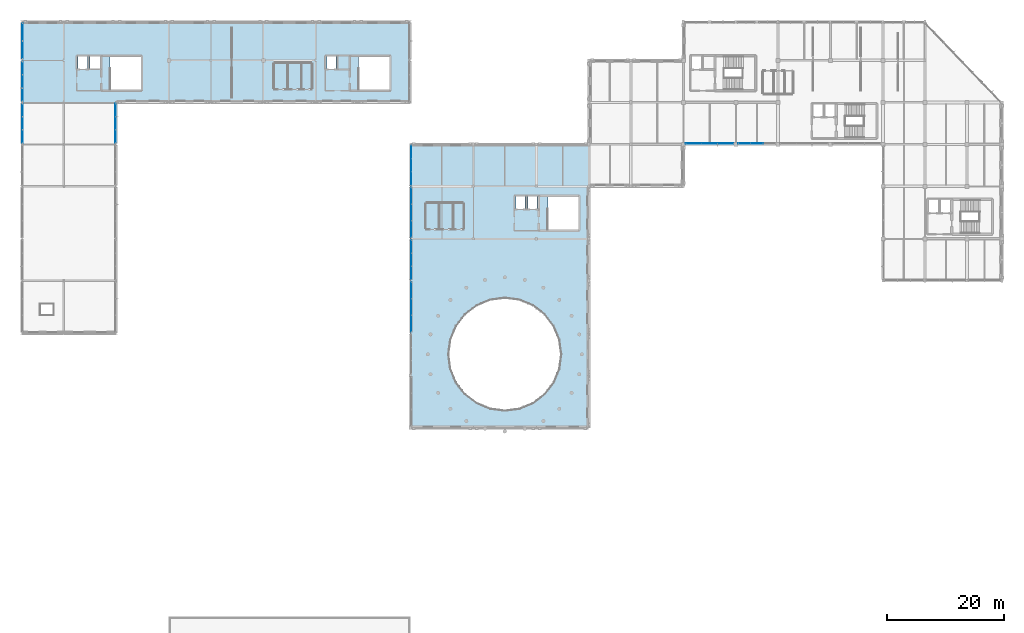
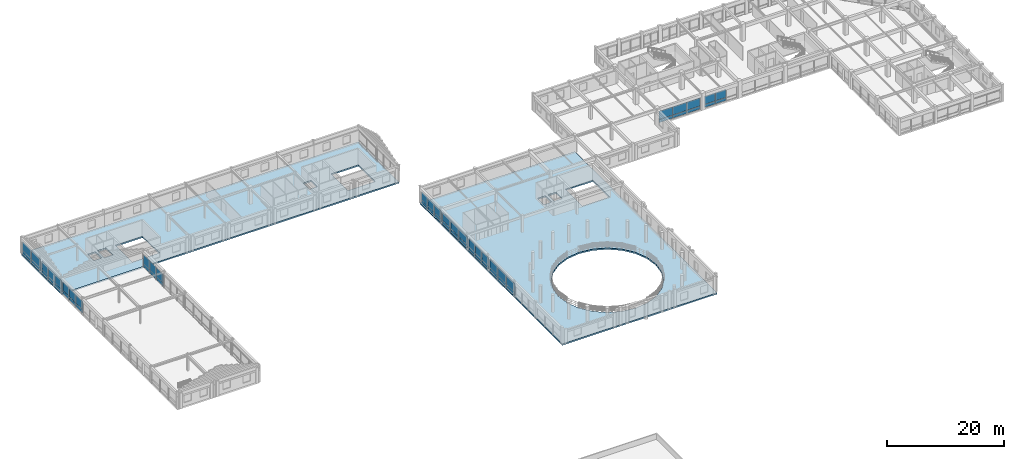
# One storey, part 33 of 52: 56 plates, 2 slabs, 10 elements without a shape of their own.
"""IFC4 building model written with IfcOpenShell, lengths in metres."""

from ifc_helpers import new_model, si_unit, direction, frame, frame_2d, origin, place, context, subcontext, project, spatial, polyline, rectangle, outline, extrude, material, layer, layer_set, type_object, element, aggregate, save


model = new_model("IFC4")

# Units and contexts
model_context = context("Model", 3, precision=1e-05, world=origin(), true_north=direction((0.0, 1.0)))
body_context = subcontext(model_context, "Body", "Model", "MODEL_VIEW")
ifc_project = project(units=[si_unit("LENGTHUNIT", "METRE"), si_unit("AREAUNIT", "SQUARE_METRE"), si_unit("VOLUMEUNIT", "CUBIC_METRE"), si_unit("PLANEANGLEUNIT", "RADIAN"), si_unit("MASSUNIT", "GRAM", prefix="KILO")], contexts=[model_context])

# Site, building, storey
site_placement = place(None, origin())
site = spatial("IfcSite", under=ifc_project, at=site_placement, CompositionType="ELEMENT")
building_placement = place(site_placement, origin())
building = spatial("IfcBuilding", under=site, at=building_placement, Name="Clarverna Civic Hall", CompositionType="ELEMENT")
storey_placement = place(building_placement, frame((0.0, 0.0, 16.800048828125)))
storey = spatial("IfcBuildingStorey", under=building, at=storey_placement, Name="L04", CompositionType="ELEMENT", Elevation=16.800048828125)

# Curtain wall, plates
ifc_material_1 = material(Name="Anodised Bronze Architectural Aluminium", Category="aluminium")
curtain_wall_type_1 = type_object("IfcCurtainWallType", Name="CW-01", PredefinedType="USERDEFINED", material=ifc_material_1)
curtain_wall_1_placement = place(storey_placement, origin())
curtain_wall_1 = element("IfcCurtainWall", 1, at=curtain_wall_1_placement, inside=storey, type_object=curtain_wall_type_1, Name="CW-01-099", ObjectType="UNITISED CURTAIN WALL", PredefinedType="USERDEFINED")
ifc_material_2 = material(Name="Solar-Control Argon Low-E Double Glazing", Category="glass")
ifc_layer_1 = layer(ifc_material_2, 0.031982421875)
ifc_layer_set_1 = layer_set([ifc_layer_1], Name="Solar-Control Argon Low-E Double Glazing")
plate_type_1 = type_object("IfcPlateType", Name="CWP-01", PredefinedType="CURTAIN_PANEL", material=ifc_layer_set_1)
plate_1_placement = place(storey_placement, frame((127.0439453125, 95.139892578125, 0.764892578125), z_axis=(0.0, 0.0, 1.0), x_axis=(-1.0, 0.0, 0.0)))
plate_1 = element("IfcPlate", 2, at=plate_1_placement, type_object=plate_type_1, Name="CWP-01-536", PredefinedType="CURTAIN_PANEL", context=body_context, shape_type="SweptSolid", body=[
    extrude(rectangle(XDim=2.087890625, YDim=0.031982421875, at=frame_2d((1.0439453125, 0.0))), origin(), (0.0, 0.0, 1.0), 1.695068359375),
])
plate_2_placement = place(storey_placement, frame((124.926025390625, 95.139892578125, 0.764892578125), z_axis=(0.0, 0.0, 1.0), x_axis=(-1.0, 0.0, 0.0)))
plate_2 = element("IfcPlate", 3, at=plate_2_placement, type_object=plate_type_1, Name="CWP-01-537", PredefinedType="CURTAIN_PANEL", context=body_context, shape_type="SweptSolid", body=[
    extrude(rectangle(XDim=2.088134765625, YDim=0.031982421875, at=frame_2d((1.0439453125, 0.0))), origin(), (0.0, 0.0, 1.0), 1.695068359375),
])

curtain_wall_2_placement = place(storey_placement, origin())
curtain_wall_2 = element("IfcCurtainWall", 4, at=curtain_wall_2_placement, inside=storey, type_object=curtain_wall_type_1, Name="CW-01-100", ObjectType="UNITISED CURTAIN WALL", PredefinedType="USERDEFINED")
plate_3_placement = place(storey_placement, frame((121.9619140625, 95.139892578125, 0.764892578125), z_axis=(0.0, 0.0, 1.0), x_axis=(-1.0, 0.0, 0.0)))
plate_3 = element("IfcPlate", 5, at=plate_3_placement, type_object=plate_type_1, Name="CWP-01-538", PredefinedType="CURTAIN_PANEL", context=body_context, shape_type="SweptSolid", body=[
    extrude(rectangle(XDim=2.68798828125, YDim=0.031982421875, at=frame_2d((1.343994140625, 0.0))), origin(), (0.0, 0.0, 1.0), 1.72509765625),
])
plate_4_placement = place(storey_placement, frame((119.243896484375, 95.139892578125, 0.764892578125), z_axis=(0.0, 0.0, 1.0), x_axis=(-1.0, 0.0, 0.0)))
plate_4 = element("IfcPlate", 6, at=plate_4_placement, type_object=plate_type_1, Name="CWP-01-539", PredefinedType="CURTAIN_PANEL", context=body_context, shape_type="SweptSolid", body=[
    extrude(rectangle(XDim=2.68798828125, YDim=0.031982421875, at=frame_2d((1.343994140625, 0.0))), origin(), (0.0, 0.0, 1.0), 1.72509765625),
])
plate_5_placement = place(storey_placement, frame((116.52587890625, 95.139892578125, 0.764892578125), z_axis=(0.0, 0.0, 1.0), x_axis=(-1.0, 0.0, 0.0)))
plate_5 = element("IfcPlate", 7, at=plate_5_placement, type_object=plate_type_1, Name="CWP-01-540", PredefinedType="CURTAIN_PANEL", context=body_context, shape_type="SweptSolid", body=[
    extrude(rectangle(XDim=2.68798828125, YDim=0.031982421875, at=frame_2d((1.343994140625, 0.0))), origin(), (0.0, 0.0, 1.0), 1.72509765625),
])

curtain_wall_type_2 = type_object("IfcCurtainWallType", Name="CW-05", PredefinedType="USERDEFINED", material=ifc_material_1)
curtain_wall_3_placement = place(storey_placement, origin())
curtain_wall_3 = element("IfcCurtainWall", 8, at=curtain_wall_3_placement, inside=storey, type_object=curtain_wall_type_2, Name="CW-05-027", ObjectType="UNITISED CURTAIN WALL", PredefinedType="USERDEFINED")
plate_6_placement = place(storey_placement, frame((0.139892578125, 95.224609375, 0.764892578125), z_axis=(0.0, 0.0, 1.0), x_axis=(0.0, 1.0, 0.0)))
plate_6 = element("IfcPlate", 9, at=plate_6_placement, type_object=plate_type_1, Name="CWP-01-553", PredefinedType="CURTAIN_PANEL", context=body_context, shape_type="SweptSolid", body=[
    extrude(rectangle(XDim=2.234130859375, YDim=0.031982421875, at=frame_2d((1.1171875, 0.0))), origin(), (0.0, 0.0, 1.0), 1.824951171875),
])
plate_7_placement = place(storey_placement, frame((0.139892578125, 97.48876953125, 0.764892578125), z_axis=(0.0, 0.0, 1.0), x_axis=(0.0, 1.0, 0.0)))
plate_7 = element("IfcPlate", 10, at=plate_7_placement, type_object=plate_type_1, Name="CWP-01-554", PredefinedType="CURTAIN_PANEL", context=body_context, shape_type="SweptSolid", body=[
    extrude(rectangle(XDim=2.234130859375, YDim=0.031982421875, at=frame_2d((1.1171875, 0.0))), origin(), (0.0, 0.0, 1.0), 1.824951171875),
])
plate_8_placement = place(storey_placement, frame((0.139892578125, 99.752685546875, 0.764892578125), z_axis=(0.0, 0.0, 1.0), x_axis=(0.0, 1.0, 0.0)))
plate_8 = element("IfcPlate", 11, at=plate_8_placement, type_object=plate_type_1, Name="CWP-01-555", PredefinedType="CURTAIN_PANEL", context=body_context, shape_type="SweptSolid", body=[
    extrude(rectangle(XDim=2.234375, YDim=0.031982421875, at=frame_2d((1.1171875, 0.0))), origin(), (0.0, 0.0, 1.0), 1.824951171875),
])

curtain_wall_4_placement = place(storey_placement, origin())
curtain_wall_4 = element("IfcCurtainWall", 12, at=curtain_wall_4_placement, inside=storey, type_object=curtain_wall_type_2, Name="CW-05-028", ObjectType="UNITISED CURTAIN WALL", PredefinedType="USERDEFINED")
plate_9_placement = place(storey_placement, frame((0.139892578125, 102.4130859375, 0.764892578125), z_axis=(0.0, 0.0, 1.0), x_axis=(0.0, 1.0, 0.0)))
plate_9 = element("IfcPlate", 13, at=plate_9_placement, type_object=plate_type_1, Name="CWP-01-556", PredefinedType="CURTAIN_PANEL", context=body_context, shape_type="SweptSolid", body=[
    extrude(rectangle(XDim=2.2197265625, YDim=0.031982421875, at=frame_2d((1.10986328125, 0.0))), origin(), (0.0, 0.0, 1.0), 1.824951171875),
])
plate_10_placement = place(storey_placement, frame((0.139892578125, 104.66259765625, 0.764892578125), z_axis=(0.0, 0.0, 1.0), x_axis=(0.0, 1.0, 0.0)))
plate_10 = element("IfcPlate", 14, at=plate_10_placement, type_object=plate_type_1, Name="CWP-01-557", PredefinedType="CURTAIN_PANEL", context=body_context, shape_type="SweptSolid", body=[
    extrude(rectangle(XDim=2.2197265625, YDim=0.031982421875, at=frame_2d((1.10986328125, 0.0))), origin(), (0.0, 0.0, 1.0), 1.824951171875),
])
plate_11_placement = place(storey_placement, frame((0.139892578125, 106.912353515625, 0.764892578125), z_axis=(0.0, 0.0, 1.0), x_axis=(0.0, 1.0, 0.0)))
plate_11 = element("IfcPlate", 15, at=plate_11_placement, type_object=plate_type_1, Name="CWP-01-558", PredefinedType="CURTAIN_PANEL", context=body_context, shape_type="SweptSolid", body=[
    extrude(rectangle(XDim=2.2197265625, YDim=0.031982421875, at=frame_2d((1.10986328125, 0.0))), origin(), (0.0, 0.0, 1.0), 1.824951171875),
])

curtain_wall_5_placement = place(storey_placement, origin())
curtain_wall_5 = element("IfcCurtainWall", 16, at=curtain_wall_5_placement, inside=storey, type_object=curtain_wall_type_2, Name="CW-05-029", ObjectType="UNITISED CURTAIN WALL", PredefinedType="USERDEFINED")
plate_12_placement = place(storey_placement, frame((0.139892578125, 109.66796875, 0.764892578125), z_axis=(0.0, 0.0, 1.0), x_axis=(0.0, 1.0, 0.0)))
plate_12 = element("IfcPlate", 17, at=plate_12_placement, type_object=plate_type_1, Name="CWP-01-559", PredefinedType="CURTAIN_PANEL", context=body_context, shape_type="SweptSolid", body=[
    extrude(rectangle(XDim=3.02197265625, YDim=0.031982421875, at=frame_2d((1.510986328125, 0.0))), origin(), (0.0, 0.0, 1.0), 1.824951171875),
])
plate_13_placement = place(storey_placement, frame((0.139892578125, 112.719970703125, 0.764892578125), z_axis=(0.0, 0.0, 1.0), x_axis=(0.0, 1.0, 0.0)))
plate_13 = element("IfcPlate", 18, at=plate_13_placement, type_object=plate_type_1, Name="CWP-01-560", PredefinedType="CURTAIN_PANEL", context=body_context, shape_type="SweptSolid", body=[
    extrude(rectangle(XDim=3.02197265625, YDim=0.031982421875, at=frame_2d((1.510986328125, 0.0))), origin(), (0.0, 0.0, 1.0), 1.824951171875),
])

curtain_wall_6_placement = place(storey_placement, origin())
curtain_wall_6 = element("IfcCurtainWall", 19, at=curtain_wall_6_placement, inside=storey, type_object=curtain_wall_type_2, Name="CW-05-032", ObjectType="UNITISED CURTAIN WALL", PredefinedType="USERDEFINED")
plate_14_placement = place(storey_placement, frame((16.06005859375, 101.951904296875, 0.764892578125), z_axis=(0.0, 0.0, 1.0), x_axis=(0.0, -1.0, 0.0)))
plate_14 = element("IfcPlate", 20, at=plate_14_placement, type_object=plate_type_1, Name="CWP-01-566", PredefinedType="CURTAIN_PANEL", context=body_context, shape_type="SweptSolid", body=[
    extrude(rectangle(XDim=2.211181640625, YDim=0.031982421875, at=frame_2d((1.10546875, 0.0))), origin(), (0.0, 0.0, 1.0), 1.824951171875),
])
plate_15_placement = place(storey_placement, frame((16.06005859375, 99.710693359375, 0.764892578125), z_axis=(0.0, 0.0, 1.0), x_axis=(0.0, -1.0, 0.0)))
plate_15 = element("IfcPlate", 21, at=plate_15_placement, type_object=plate_type_1, Name="CWP-01-567", PredefinedType="CURTAIN_PANEL", context=body_context, shape_type="SweptSolid", body=[
    extrude(rectangle(XDim=2.21142578125, YDim=0.031982421875, at=frame_2d((1.105712890625, 0.0))), origin(), (0.0, 0.0, 1.0), 1.824951171875),
])
plate_16_placement = place(storey_placement, frame((16.06005859375, 97.46923828125, 0.764892578125), z_axis=(0.0, 0.0, 1.0), x_axis=(0.0, -1.0, 0.0)))
plate_16 = element("IfcPlate", 22, at=plate_16_placement, type_object=plate_type_1, Name="CWP-01-568", PredefinedType="CURTAIN_PANEL", context=body_context, shape_type="SweptSolid", body=[
    extrude(rectangle(XDim=2.211181640625, YDim=0.031982421875, at=frame_2d((1.10546875, 0.0))), origin(), (0.0, 0.0, 1.0), 1.824951171875),
])

curtain_wall_type_3 = type_object("IfcCurtainWallType", Name="CW-06", PredefinedType="USERDEFINED", material=ifc_material_1)
curtain_wall_7_placement = place(storey_placement, origin())
curtain_wall_7 = element("IfcCurtainWall", 23, at=curtain_wall_7_placement, inside=storey, type_object=curtain_wall_type_3, Name="CW-06-003", ObjectType="UNITISED CURTAIN WALL", PredefinedType="USERDEFINED")
ifc_material_3 = material(Name="Acoustic Laminated Solar-Control Glazing", Category="glass")
ifc_layer_2 = layer(ifc_material_3, 0.035888671875)
ifc_layer_set_2 = layer_set([ifc_layer_2], Name="Acoustic Laminated Solar-Control Glazing")
plate_type_2 = type_object("IfcPlateType", Name="CWP-02", PredefinedType="CURTAIN_PANEL", material=ifc_layer_set_2)
plate_17_placement = place(storey_placement, frame((66.764892578125, 62.85791015625, 0.764892578125), z_axis=(0.0, 0.0, 1.0), x_axis=(0.0, 1.0, 0.0)))
plate_17 = element("IfcPlate", 24, at=plate_17_placement, type_object=plate_type_2, Name="CWP-02-009", PredefinedType="CURTAIN_PANEL", context=body_context, shape_type="SweptSolid", body=[
    extrude(rectangle(XDim=2.811279296875, YDim=0.035888671875, at=frame_2d((1.40576171875, 0.0))), origin(), (0.0, 0.0, 1.0), 1.78515625),
])
plate_18_placement = place(storey_placement, frame((66.764892578125, 65.69921875, 0.764892578125), z_axis=(0.0, 0.0, 1.0), x_axis=(0.0, 1.0, 0.0)))
plate_18 = element("IfcPlate", 25, at=plate_18_placement, type_object=plate_type_2, Name="CWP-02-010", PredefinedType="CURTAIN_PANEL", context=body_context, shape_type="SweptSolid", body=[
    extrude(rectangle(XDim=2.8115234375, YDim=0.035888671875, at=frame_2d((1.40576171875, 0.0))), origin(), (0.0, 0.0, 1.0), 1.78515625),
])
plate_19_placement = place(storey_placement, frame((66.764892578125, 68.540771484375, 0.764892578125), z_axis=(0.0, 0.0, 1.0), x_axis=(0.0, 1.0, 0.0)))
plate_19 = element("IfcPlate", 26, at=plate_19_placement, type_object=plate_type_2, Name="CWP-02-011", PredefinedType="CURTAIN_PANEL", context=body_context, shape_type="SweptSolid", body=[
    extrude(rectangle(XDim=2.811279296875, YDim=0.035888671875, at=frame_2d((1.40576171875, 0.0))), origin(), (0.0, 0.0, 1.0), 1.78515625),
])

curtain_wall_8_placement = place(storey_placement, origin())
curtain_wall_8 = element("IfcCurtainWall", 27, at=curtain_wall_8_placement, inside=storey, type_object=curtain_wall_type_3, Name="CW-06-004", ObjectType="UNITISED CURTAIN WALL", PredefinedType="USERDEFINED")
plate_20_placement = place(storey_placement, frame((66.764892578125, 71.847900390625, 0.764892578125), z_axis=(0.0, 0.0, 1.0), x_axis=(0.0, 1.0, 0.0)))
plate_20 = element("IfcPlate", 28, at=plate_20_placement, type_object=plate_type_2, Name="CWP-02-012", PredefinedType="CURTAIN_PANEL", context=body_context, shape_type="SweptSolid", body=[
    extrude(rectangle(XDim=2.209716796875, YDim=0.035888671875, at=frame_2d((1.10498046875, 0.0))), origin(), (0.0, 0.0, 1.0), 1.7451171875),
])
plate_21_placement = place(storey_placement, frame((66.764892578125, 74.087646484375, 0.764892578125), z_axis=(0.0, 0.0, 1.0), x_axis=(0.0, 1.0, 0.0)))
plate_21 = element("IfcPlate", 29, at=plate_21_placement, type_object=plate_type_2, Name="CWP-02-013", PredefinedType="CURTAIN_PANEL", context=body_context, shape_type="SweptSolid", body=[
    extrude(rectangle(XDim=2.209716796875, YDim=0.035888671875, at=frame_2d((1.10498046875, 0.0))), origin(), (0.0, 0.0, 1.0), 1.7451171875),
])
plate_22_placement = place(storey_placement, frame((66.764892578125, 76.327392578125, 0.764892578125), z_axis=(0.0, 0.0, 1.0), x_axis=(0.0, 1.0, 0.0)))
plate_22 = element("IfcPlate", 30, at=plate_22_placement, type_object=plate_type_2, Name="CWP-02-014", PredefinedType="CURTAIN_PANEL", context=body_context, shape_type="SweptSolid", body=[
    extrude(rectangle(XDim=2.209716796875, YDim=0.035888671875, at=frame_2d((1.10498046875, 0.0))), origin(), (0.0, 0.0, 1.0), 1.7451171875),
])

curtain_wall_9_placement = place(storey_placement, origin())
curtain_wall_9 = element("IfcCurtainWall", 31, at=curtain_wall_9_placement, inside=storey, type_object=curtain_wall_type_3, Name="CW-06-005", ObjectType="UNITISED CURTAIN WALL", PredefinedType="USERDEFINED")
plate_23_placement = place(storey_placement, frame((66.764892578125, 79.06298828125, 0.764892578125), z_axis=(0.0, 0.0, 1.0), x_axis=(0.0, 1.0, 0.0)))
plate_23 = element("IfcPlate", 32, at=plate_23_placement, type_object=plate_type_2, Name="CWP-02-015", PredefinedType="CURTAIN_PANEL", context=body_context, shape_type="SweptSolid", body=[
    extrude(rectangle(XDim=2.811279296875, YDim=0.035888671875, at=frame_2d((1.40576171875, 0.0))), origin(), (0.0, 0.0, 1.0), 1.715087890625),
])
plate_24_placement = place(storey_placement, frame((66.764892578125, 81.904296875, 0.764892578125), z_axis=(0.0, 0.0, 1.0), x_axis=(0.0, 1.0, 0.0)))
plate_24 = element("IfcPlate", 33, at=plate_24_placement, type_object=plate_type_2, Name="CWP-02-016", PredefinedType="CURTAIN_PANEL", context=body_context, shape_type="SweptSolid", body=[
    extrude(rectangle(XDim=2.8115234375, YDim=0.035888671875, at=frame_2d((1.40576171875, 0.0))), origin(), (0.0, 0.0, 1.0), 1.715087890625),
])
plate_25_placement = place(storey_placement, frame((66.764892578125, 84.74560546875, 0.764892578125), z_axis=(0.0, 0.0, 1.0), x_axis=(0.0, 1.0, 0.0)))
plate_25 = element("IfcPlate", 34, at=plate_25_placement, type_object=plate_type_2, Name="CWP-02-017", PredefinedType="CURTAIN_PANEL", context=body_context, shape_type="SweptSolid", body=[
    extrude(rectangle(XDim=2.811279296875, YDim=0.035888671875, at=frame_2d((1.40576171875, 0.0))), origin(), (0.0, 0.0, 1.0), 1.715087890625),
])

curtain_wall_10_placement = place(storey_placement, origin())
curtain_wall_10 = element("IfcCurtainWall", 35, at=curtain_wall_10_placement, inside=storey, type_object=curtain_wall_type_3, Name="CW-06-006", ObjectType="UNITISED CURTAIN WALL", PredefinedType="USERDEFINED")
plate_26_placement = place(storey_placement, frame((66.764892578125, 88.04296875, 0.764892578125), z_axis=(0.0, 0.0, 1.0), x_axis=(0.0, 1.0, 0.0)))
plate_26 = element("IfcPlate", 36, at=plate_26_placement, type_object=plate_type_2, Name="CWP-02-018", PredefinedType="CURTAIN_PANEL", context=body_context, shape_type="SweptSolid", body=[
    extrude(rectangle(XDim=2.22412109375, YDim=0.035888671875, at=frame_2d((1.112060546875, 0.0))), origin(), (0.0, 0.0, 1.0), 1.715087890625),
])
plate_27_placement = place(storey_placement, frame((66.764892578125, 90.297119140625, 0.764892578125), z_axis=(0.0, 0.0, 1.0), x_axis=(0.0, 1.0, 0.0)))
plate_27 = element("IfcPlate", 37, at=plate_27_placement, type_object=plate_type_2, Name="CWP-02-019", PredefinedType="CURTAIN_PANEL", context=body_context, shape_type="SweptSolid", body=[
    extrude(rectangle(XDim=2.22412109375, YDim=0.035888671875, at=frame_2d((1.112060546875, 0.0))), origin(), (0.0, 0.0, 1.0), 1.715087890625),
])
plate_28_placement = place(storey_placement, frame((66.764892578125, 92.55126953125, 0.764892578125), z_axis=(0.0, 0.0, 1.0), x_axis=(0.0, 1.0, 0.0)))
plate_28 = element("IfcPlate", 38, at=plate_28_placement, type_object=plate_type_2, Name="CWP-02-020", PredefinedType="CURTAIN_PANEL", context=body_context, shape_type="SweptSolid", body=[
    extrude(rectangle(XDim=2.22412109375, YDim=0.035888671875, at=frame_2d((1.112060546875, 0.0))), origin(), (0.0, 0.0, 1.0), 1.715087890625),
])

# Plate
ifc_material_4 = material(Name="Insulated Anodised Bronze Spandrel Panel", Category="aluminium")
ifc_layer_3 = layer(ifc_material_4, 0.048095703125)
ifc_layer_set_3 = layer_set([ifc_layer_3], Name="Insulated Anodised Bronze Spandrel Panel")
plate_type_3 = type_object("IfcPlateType", Name="CWP-03", PredefinedType="CURTAIN_PANEL", material=ifc_layer_set_3)
plate_29_placement = place(storey_placement, frame((127.0439453125, 95.139892578125, 0.10986328125), z_axis=(0.0, 0.0, 1.0), x_axis=(-1.0, 0.0, 0.0)))
plate_29 = element("IfcPlate", 39, at=plate_29_placement, type_object=plate_type_3, Name="CWP-03-538", PredefinedType="CURTAIN_PANEL", context=body_context, shape_type="SweptSolid", body=[
    extrude(rectangle(XDim=2.087890625, YDim=0.048095703125, at=frame_2d((1.0439453125, 0.0))), origin(), (0.0, 0.0, 1.0), 0.625),
])

plate_30_placement = place(storey_placement, frame((124.926025390625, 95.139892578125, 0.10986328125), z_axis=(0.0, 0.0, 1.0), x_axis=(-1.0, 0.0, 0.0)))
plate_30 = element("IfcPlate", 40, at=plate_30_placement, type_object=plate_type_3, Name="CWP-03-539", PredefinedType="CURTAIN_PANEL", context=body_context, shape_type="SweptSolid", body=[
    extrude(rectangle(XDim=2.088134765625, YDim=0.048095703125, at=frame_2d((1.0439453125, 0.0))), origin(), (0.0, 0.0, 1.0), 0.625),
])

aggregate(curtain_wall_1, [plate_29, plate_1, plate_30, plate_2])

plate_31_placement = place(storey_placement, frame((121.9619140625, 95.139892578125, 0.10986328125), z_axis=(0.0, 0.0, 1.0), x_axis=(-1.0, 0.0, 0.0)))
plate_31 = element("IfcPlate", 41, at=plate_31_placement, type_object=plate_type_3, Name="CWP-03-540", PredefinedType="CURTAIN_PANEL", context=body_context, shape_type="SweptSolid", body=[
    extrude(rectangle(XDim=2.68798828125, YDim=0.048095703125, at=frame_2d((1.343994140625, 0.0))), origin(), (0.0, 0.0, 1.0), 0.625),
])

plate_32_placement = place(storey_placement, frame((119.243896484375, 95.139892578125, 0.10986328125), z_axis=(0.0, 0.0, 1.0), x_axis=(-1.0, 0.0, 0.0)))
plate_32 = element("IfcPlate", 42, at=plate_32_placement, type_object=plate_type_3, Name="CWP-03-541", PredefinedType="CURTAIN_PANEL", context=body_context, shape_type="SweptSolid", body=[
    extrude(rectangle(XDim=2.68798828125, YDim=0.048095703125, at=frame_2d((1.343994140625, 0.0))), origin(), (0.0, 0.0, 1.0), 0.625),
])

plate_33_placement = place(storey_placement, frame((116.52587890625, 95.139892578125, 0.10986328125), z_axis=(0.0, 0.0, 1.0), x_axis=(-1.0, 0.0, 0.0)))
plate_33 = element("IfcPlate", 43, at=plate_33_placement, type_object=plate_type_3, Name="CWP-03-542", PredefinedType="CURTAIN_PANEL", context=body_context, shape_type="SweptSolid", body=[
    extrude(rectangle(XDim=2.68798828125, YDim=0.048095703125, at=frame_2d((1.343994140625, 0.0))), origin(), (0.0, 0.0, 1.0), 0.625),
])

aggregate(curtain_wall_2, [plate_31, plate_3, plate_32, plate_4, plate_33, plate_5])

plate_34_placement = place(storey_placement, frame((66.764892578125, 62.85791015625, 0.10986328125), z_axis=(0.0, 0.0, 1.0), x_axis=(0.0, 1.0, 0.0)))
plate_34 = element("IfcPlate", 44, at=plate_34_placement, type_object=plate_type_3, Name="CWP-03-549", PredefinedType="CURTAIN_PANEL", context=body_context, shape_type="SweptSolid", body=[
    extrude(rectangle(XDim=2.811279296875, YDim=0.048095703125, at=frame_2d((1.40576171875, 0.0))), origin(), (0.0, 0.0, 1.0), 0.625),
])

plate_35_placement = place(storey_placement, frame((66.764892578125, 65.69921875, 0.10986328125), z_axis=(0.0, 0.0, 1.0), x_axis=(0.0, 1.0, 0.0)))
plate_35 = element("IfcPlate", 45, at=plate_35_placement, type_object=plate_type_3, Name="CWP-03-550", PredefinedType="CURTAIN_PANEL", context=body_context, shape_type="SweptSolid", body=[
    extrude(rectangle(XDim=2.8115234375, YDim=0.048095703125, at=frame_2d((1.40576171875, 0.0))), origin(), (0.0, 0.0, 1.0), 0.625),
])

plate_36_placement = place(storey_placement, frame((66.764892578125, 68.540771484375, 0.10986328125), z_axis=(0.0, 0.0, 1.0), x_axis=(0.0, 1.0, 0.0)))
plate_36 = element("IfcPlate", 46, at=plate_36_placement, type_object=plate_type_3, Name="CWP-03-551", PredefinedType="CURTAIN_PANEL", context=body_context, shape_type="SweptSolid", body=[
    extrude(rectangle(XDim=2.811279296875, YDim=0.048095703125, at=frame_2d((1.40576171875, 0.0))), origin(), (0.0, 0.0, 1.0), 0.625),
])

aggregate(curtain_wall_7, [plate_34, plate_17, plate_35, plate_18, plate_36, plate_19])

plate_37_placement = place(storey_placement, frame((66.764892578125, 71.847900390625, 0.10986328125), z_axis=(0.0, 0.0, 1.0), x_axis=(0.0, 1.0, 0.0)))
plate_37 = element("IfcPlate", 47, at=plate_37_placement, type_object=plate_type_3, Name="CWP-03-552", PredefinedType="CURTAIN_PANEL", context=body_context, shape_type="SweptSolid", body=[
    extrude(rectangle(XDim=2.209716796875, YDim=0.048095703125, at=frame_2d((1.10498046875, 0.0))), origin(), (0.0, 0.0, 1.0), 0.625),
])

plate_38_placement = place(storey_placement, frame((66.764892578125, 74.087646484375, 0.10986328125), z_axis=(0.0, 0.0, 1.0), x_axis=(0.0, 1.0, 0.0)))
plate_38 = element("IfcPlate", 48, at=plate_38_placement, type_object=plate_type_3, Name="CWP-03-553", PredefinedType="CURTAIN_PANEL", context=body_context, shape_type="SweptSolid", body=[
    extrude(rectangle(XDim=2.209716796875, YDim=0.048095703125, at=frame_2d((1.10498046875, 0.0))), origin(), (0.0, 0.0, 1.0), 0.625),
])

plate_39_placement = place(storey_placement, frame((66.764892578125, 76.327392578125, 0.10986328125), z_axis=(0.0, 0.0, 1.0), x_axis=(0.0, 1.0, 0.0)))
plate_39 = element("IfcPlate", 49, at=plate_39_placement, type_object=plate_type_3, Name="CWP-03-554", PredefinedType="CURTAIN_PANEL", context=body_context, shape_type="SweptSolid", body=[
    extrude(rectangle(XDim=2.209716796875, YDim=0.048095703125, at=frame_2d((1.10498046875, 0.0))), origin(), (0.0, 0.0, 1.0), 0.625),
])

aggregate(curtain_wall_8, [plate_37, plate_20, plate_38, plate_21, plate_39, plate_22])

plate_40_placement = place(storey_placement, frame((66.764892578125, 79.06298828125, 0.10986328125), z_axis=(0.0, 0.0, 1.0), x_axis=(0.0, 1.0, 0.0)))
plate_40 = element("IfcPlate", 50, at=plate_40_placement, type_object=plate_type_3, Name="CWP-03-555", PredefinedType="CURTAIN_PANEL", context=body_context, shape_type="SweptSolid", body=[
    extrude(rectangle(XDim=2.811279296875, YDim=0.048095703125, at=frame_2d((1.40576171875, 0.0))), origin(), (0.0, 0.0, 1.0), 0.625),
])

plate_41_placement = place(storey_placement, frame((66.764892578125, 81.904296875, 0.10986328125), z_axis=(0.0, 0.0, 1.0), x_axis=(0.0, 1.0, 0.0)))
plate_41 = element("IfcPlate", 51, at=plate_41_placement, type_object=plate_type_3, Name="CWP-03-556", PredefinedType="CURTAIN_PANEL", context=body_context, shape_type="SweptSolid", body=[
    extrude(rectangle(XDim=2.8115234375, YDim=0.048095703125, at=frame_2d((1.40576171875, 0.0))), origin(), (0.0, 0.0, 1.0), 0.625),
])

plate_42_placement = place(storey_placement, frame((66.764892578125, 84.74560546875, 0.10986328125), z_axis=(0.0, 0.0, 1.0), x_axis=(0.0, 1.0, 0.0)))
plate_42 = element("IfcPlate", 52, at=plate_42_placement, type_object=plate_type_3, Name="CWP-03-557", PredefinedType="CURTAIN_PANEL", context=body_context, shape_type="SweptSolid", body=[
    extrude(rectangle(XDim=2.811279296875, YDim=0.048095703125, at=frame_2d((1.40576171875, 0.0))), origin(), (0.0, 0.0, 1.0), 0.625),
])

aggregate(curtain_wall_9, [plate_40, plate_23, plate_41, plate_24, plate_42, plate_25])

plate_43_placement = place(storey_placement, frame((66.764892578125, 88.04296875, 0.10986328125), z_axis=(0.0, 0.0, 1.0), x_axis=(0.0, 1.0, 0.0)))
plate_43 = element("IfcPlate", 53, at=plate_43_placement, type_object=plate_type_3, Name="CWP-03-558", PredefinedType="CURTAIN_PANEL", context=body_context, shape_type="SweptSolid", body=[
    extrude(rectangle(XDim=2.22412109375, YDim=0.048095703125, at=frame_2d((1.112060546875, 0.0))), origin(), (0.0, 0.0, 1.0), 0.625),
])

plate_44_placement = place(storey_placement, frame((66.764892578125, 90.297119140625, 0.10986328125), z_axis=(0.0, 0.0, 1.0), x_axis=(0.0, 1.0, 0.0)))
plate_44 = element("IfcPlate", 54, at=plate_44_placement, type_object=plate_type_3, Name="CWP-03-559", PredefinedType="CURTAIN_PANEL", context=body_context, shape_type="SweptSolid", body=[
    extrude(rectangle(XDim=2.22412109375, YDim=0.048095703125, at=frame_2d((1.112060546875, 0.0))), origin(), (0.0, 0.0, 1.0), 0.625),
])

plate_45_placement = place(storey_placement, frame((66.764892578125, 92.55126953125, 0.10986328125), z_axis=(0.0, 0.0, 1.0), x_axis=(0.0, 1.0, 0.0)))
plate_45 = element("IfcPlate", 55, at=plate_45_placement, type_object=plate_type_3, Name="CWP-03-560", PredefinedType="CURTAIN_PANEL", context=body_context, shape_type="SweptSolid", body=[
    extrude(rectangle(XDim=2.22412109375, YDim=0.048095703125, at=frame_2d((1.112060546875, 0.0))), origin(), (0.0, 0.0, 1.0), 0.625),
])

aggregate(curtain_wall_10, [plate_43, plate_26, plate_44, plate_27, plate_45, plate_28])

plate_46_placement = place(storey_placement, frame((0.139892578125, 95.224609375, 0.10986328125), z_axis=(0.0, 0.0, 1.0), x_axis=(0.0, 1.0, 0.0)))
plate_46 = element("IfcPlate", 56, at=plate_46_placement, type_object=plate_type_3, Name="CWP-03-573", PredefinedType="CURTAIN_PANEL", context=body_context, shape_type="SweptSolid", body=[
    extrude(rectangle(XDim=2.234130859375, YDim=0.048095703125, at=frame_2d((1.1171875, 0.0))), origin(), (0.0, 0.0, 1.0), 0.625),
])

plate_47_placement = place(storey_placement, frame((0.139892578125, 97.48876953125, 0.10986328125), z_axis=(0.0, 0.0, 1.0), x_axis=(0.0, 1.0, 0.0)))
plate_47 = element("IfcPlate", 57, at=plate_47_placement, type_object=plate_type_3, Name="CWP-03-574", PredefinedType="CURTAIN_PANEL", context=body_context, shape_type="SweptSolid", body=[
    extrude(rectangle(XDim=2.234130859375, YDim=0.048095703125, at=frame_2d((1.1171875, 0.0))), origin(), (0.0, 0.0, 1.0), 0.625),
])

plate_48_placement = place(storey_placement, frame((0.139892578125, 99.752685546875, 0.10986328125), z_axis=(0.0, 0.0, 1.0), x_axis=(0.0, 1.0, 0.0)))
plate_48 = element("IfcPlate", 58, at=plate_48_placement, type_object=plate_type_3, Name="CWP-03-575", PredefinedType="CURTAIN_PANEL", context=body_context, shape_type="SweptSolid", body=[
    extrude(rectangle(XDim=2.234375, YDim=0.048095703125, at=frame_2d((1.1171875, 0.0))), origin(), (0.0, 0.0, 1.0), 0.625),
])

aggregate(curtain_wall_3, [plate_46, plate_6, plate_47, plate_7, plate_48, plate_8])

plate_49_placement = place(storey_placement, frame((0.139892578125, 102.4130859375, 0.10986328125), z_axis=(0.0, 0.0, 1.0), x_axis=(0.0, 1.0, 0.0)))
plate_49 = element("IfcPlate", 59, at=plate_49_placement, type_object=plate_type_3, Name="CWP-03-576", PredefinedType="CURTAIN_PANEL", context=body_context, shape_type="SweptSolid", body=[
    extrude(rectangle(XDim=2.2197265625, YDim=0.048095703125, at=frame_2d((1.10986328125, 0.0))), origin(), (0.0, 0.0, 1.0), 0.625),
])

plate_50_placement = place(storey_placement, frame((0.139892578125, 104.66259765625, 0.10986328125), z_axis=(0.0, 0.0, 1.0), x_axis=(0.0, 1.0, 0.0)))
plate_50 = element("IfcPlate", 60, at=plate_50_placement, type_object=plate_type_3, Name="CWP-03-577", PredefinedType="CURTAIN_PANEL", context=body_context, shape_type="SweptSolid", body=[
    extrude(rectangle(XDim=2.2197265625, YDim=0.048095703125, at=frame_2d((1.10986328125, 0.0))), origin(), (0.0, 0.0, 1.0), 0.625),
])

plate_51_placement = place(storey_placement, frame((0.139892578125, 106.912353515625, 0.10986328125), z_axis=(0.0, 0.0, 1.0), x_axis=(0.0, 1.0, 0.0)))
plate_51 = element("IfcPlate", 61, at=plate_51_placement, type_object=plate_type_3, Name="CWP-03-578", PredefinedType="CURTAIN_PANEL", context=body_context, shape_type="SweptSolid", body=[
    extrude(rectangle(XDim=2.2197265625, YDim=0.048095703125, at=frame_2d((1.10986328125, 0.0))), origin(), (0.0, 0.0, 1.0), 0.625),
])

aggregate(curtain_wall_4, [plate_49, plate_9, plate_50, plate_10, plate_51, plate_11])

plate_52_placement = place(storey_placement, frame((0.139892578125, 109.66796875, 0.10986328125), z_axis=(0.0, 0.0, 1.0), x_axis=(0.0, 1.0, 0.0)))
plate_52 = element("IfcPlate", 62, at=plate_52_placement, type_object=plate_type_3, Name="CWP-03-579", PredefinedType="CURTAIN_PANEL", context=body_context, shape_type="SweptSolid", body=[
    extrude(rectangle(XDim=3.02197265625, YDim=0.048095703125, at=frame_2d((1.510986328125, 0.0))), origin(), (0.0, 0.0, 1.0), 0.625),
])

plate_53_placement = place(storey_placement, frame((0.139892578125, 112.719970703125, 0.10986328125), z_axis=(0.0, 0.0, 1.0), x_axis=(0.0, 1.0, 0.0)))
plate_53 = element("IfcPlate", 63, at=plate_53_placement, type_object=plate_type_3, Name="CWP-03-580", PredefinedType="CURTAIN_PANEL", context=body_context, shape_type="SweptSolid", body=[
    extrude(rectangle(XDim=3.02197265625, YDim=0.048095703125, at=frame_2d((1.510986328125, 0.0))), origin(), (0.0, 0.0, 1.0), 0.625),
])

aggregate(curtain_wall_5, [plate_52, plate_12, plate_53, plate_13])

plate_54_placement = place(storey_placement, frame((16.06005859375, 101.951904296875, 0.10986328125), z_axis=(0.0, 0.0, 1.0), x_axis=(0.0, -1.0, 0.0)))
plate_54 = element("IfcPlate", 64, at=plate_54_placement, type_object=plate_type_3, Name="CWP-03-586", PredefinedType="CURTAIN_PANEL", context=body_context, shape_type="SweptSolid", body=[
    extrude(rectangle(XDim=2.211181640625, YDim=0.048095703125, at=frame_2d((1.10546875, 0.0))), origin(), (0.0, 0.0, 1.0), 0.625),
])

plate_55_placement = place(storey_placement, frame((16.06005859375, 99.710693359375, 0.10986328125), z_axis=(0.0, 0.0, 1.0), x_axis=(0.0, -1.0, 0.0)))
plate_55 = element("IfcPlate", 65, at=plate_55_placement, type_object=plate_type_3, Name="CWP-03-587", PredefinedType="CURTAIN_PANEL", context=body_context, shape_type="SweptSolid", body=[
    extrude(rectangle(XDim=2.21142578125, YDim=0.048095703125, at=frame_2d((1.105712890625, 0.0))), origin(), (0.0, 0.0, 1.0), 0.625),
])

plate_56_placement = place(storey_placement, frame((16.06005859375, 97.46923828125, 0.10986328125), z_axis=(0.0, 0.0, 1.0), x_axis=(0.0, -1.0, 0.0)))
plate_56 = element("IfcPlate", 66, at=plate_56_placement, type_object=plate_type_3, Name="CWP-03-588", PredefinedType="CURTAIN_PANEL", context=body_context, shape_type="SweptSolid", body=[
    extrude(rectangle(XDim=2.211181640625, YDim=0.048095703125, at=frame_2d((1.10546875, 0.0))), origin(), (0.0, 0.0, 1.0), 0.625),
])

aggregate(curtain_wall_6, [plate_54, plate_14, plate_55, plate_15, plate_56, plate_16])

# Slabs
ifc_material_5 = material(Name="Concrete C30/37", Category="concrete")
ifc_layer_4 = layer(ifc_material_5, 0.300048828125)
ifc_layer_set_4 = layer_set([ifc_layer_4], Name="Concrete C30/37")
slab_type = type_object("IfcSlabType", Name="SL-FL3", PredefinedType="FLOOR", material=ifc_layer_set_4)
slab_1_placement = place(storey_placement, frame((0.0, 0.0, -0.300048828125)))
element("IfcSlab", 67, at=slab_1_placement, inside=storey, type_object=slab_type, Name="SL-FL3-001", PredefinedType="FLOOR", context=body_context, shape_type="SweptSolid", body=[
    extrude(outline(polyline([(97.175048828125, 95.0), (66.625, 95.0), (66.625, 46.39990234375), (97.175048828125, 46.39990234375), (97.175048828125, 95.0)]), holes=[polyline([(92.39990234375, 59.0), (92.072998046875, 61.484619140625), (91.11376953125, 63.800048828125), (89.588134765625, 65.7880859375), (87.60009765625, 67.313720703125), (85.28466796875, 68.27294921875), (82.800048828125, 68.60009765625), (80.315185546875, 68.27294921875), (78.0, 67.313720703125), (76.01171875, 65.7880859375), (74.486083984375, 63.800048828125), (73.527099609375, 61.484619140625), (73.199951171875, 59.0), (73.527099609375, 56.515380859375), (74.486083984375, 54.199951171875), (76.01171875, 52.2119140625), (78.0, 50.686279296875), (80.315185546875, 49.72705078125), (82.800048828125, 49.39990234375), (85.28466796875, 49.72705078125), (87.60009765625, 50.686279296875), (89.588134765625, 52.2119140625), (91.11376953125, 54.199951171875), (92.072998046875, 56.515380859375), (92.39990234375, 59.0)]), polyline([(90.14990234375, 80.320068359375), (95.550048828125, 80.320068359375), (95.550048828125, 86.080078125), (90.14990234375, 86.080078125), (90.14990234375, 80.320068359375)]), polyline([(84.669921875, 83.93994140625), (86.22998046875, 83.93994140625), (86.22998046875, 86.10009765625), (84.669921875, 86.10009765625), (84.669921875, 83.93994140625)]), polyline([(86.77001953125, 83.93994140625), (88.330078125, 83.93994140625), (88.330078125, 86.10009765625), (86.77001953125, 86.10009765625), (86.77001953125, 83.93994140625)])]), origin(), (0.0, 0.0, 1.0), 0.300048828125),
])
slab_2_placement = place(storey_placement, frame((0.0, 0.0, -0.300048828125)))
element("IfcSlab", 68, at=slab_2_placement, inside=storey, type_object=slab_type, Name="SL-FL3-003", PredefinedType="FLOOR", context=body_context, shape_type="SweptSolid", body=[
    extrude(outline(polyline([(0.0, 102.199951171875), (66.574951171875, 102.199951171875), (66.574951171875, 116.0), (0.0, 116.0), (0.0, 102.199951171875)]), holes=[polyline([(15.14990234375, 104.320068359375), (20.550048828125, 104.320068359375), (20.550048828125, 110.080078125), (15.14990234375, 110.080078125), (15.14990234375, 104.320068359375)]), polyline([(9.669921875, 107.93994140625), (11.22998046875, 107.93994140625), (11.22998046875, 110.10009765625), (9.669921875, 110.10009765625), (9.669921875, 107.93994140625)]), polyline([(11.669921875, 107.840087890625), (13.429931640625, 107.840087890625), (13.429931640625, 110.199951171875), (11.669921875, 110.199951171875), (11.669921875, 107.840087890625)]), polyline([(57.75, 104.320068359375), (63.14990234375, 104.320068359375), (63.14990234375, 110.080078125), (57.75, 110.080078125), (57.75, 104.320068359375)]), polyline([(52.27001953125, 107.93994140625), (53.830078125, 107.93994140625), (53.830078125, 110.10009765625), (52.27001953125, 110.10009765625), (52.27001953125, 107.93994140625)])]), origin(), (0.0, 0.0, 1.0), 0.300048828125),
])

save(model, "model.ifc")
